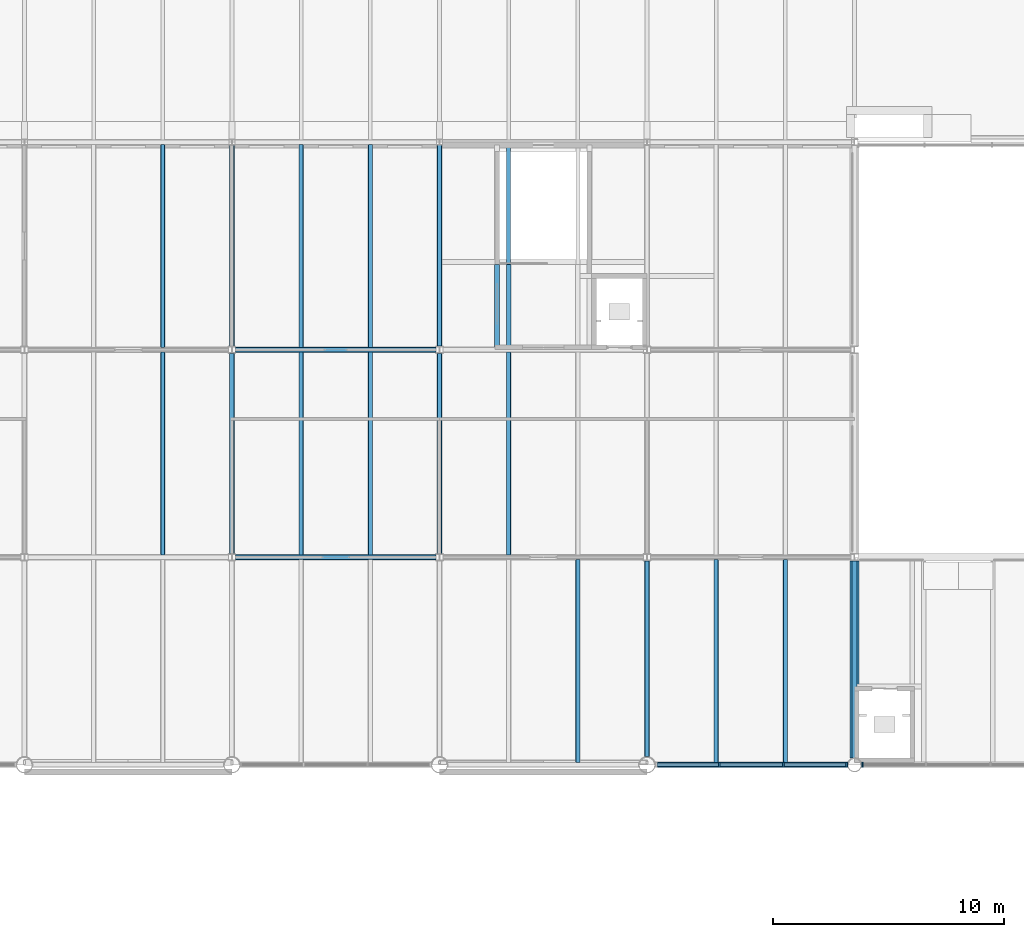
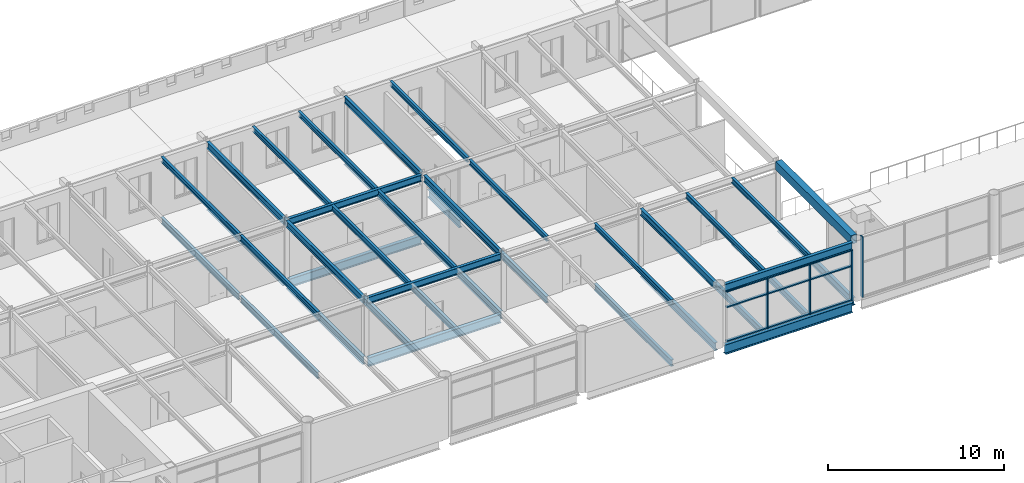
# One storey, part 37 of 123: 41 beams, 13 members, 2 elements without a shape of their own.
"""IFC4 building model written with IfcOpenShell, lengths in metres."""

import ifcopenshell
import ifcopenshell.guid

model = None  # the IFC model being written
_history = None  # IfcOwnerHistory: only IFC2X3 demands one
_inside = {}  # id of a spatial element -> (the spatial element, [elements in it])
_under = {}  # id of a project, library or spatial element -> (it, [spatial elements below it])
_declared = {}  # id of a project -> (the project, [libraries it declares])
_typed = {}  # id of a type object -> (the type object, [elements of that type])
_made_of = {}  # id of a material, layer set ... -> (it, [elements and type objects made of it])


def new_model(schema):
    """Start an empty IFC model of exactly this schema.

    Asked for "IFC4X3", IfcOpenShell would pick the latest addendum, in which some entities
    have other attributes; the version numbers below select the first issue.
    IFC2X3 requires an IfcOwnerHistory on every rooted entity: one is made here for all.
    """
    global model, _history
    if schema == "IFC4X3":
        model = ifcopenshell.file(schema_version=(4, 3, 0, 0))
    else:
        model = ifcopenshell.file(schema=schema)
    _inside.clear()
    _under.clear()
    _declared.clear()
    _typed.clear()
    _made_of.clear()
    _history = None
    if model.schema == "IFC2X3":
        org = make("IfcOrganization", Name="unknown")
        user = make(
            "IfcPersonAndOrganization",
            ThePerson=make("IfcPerson", FamilyName="unknown"),
            TheOrganization=org,
        )
        app = make(
            "IfcApplication",
            ApplicationDeveloper=org,
            Version="unknown",
            ApplicationFullName="unknown",
            ApplicationIdentifier="unknown",
        )
        _history = make(
            "IfcOwnerHistory",
            OwningUser=user,
            OwningApplication=app,
            ChangeAction="ADDED",
            CreationDate=0,
        )
    return model


def make(cls, **values):
    """One entity of the class cls with the attributes given. An attribute that is None is left unset."""
    return model.create_entity(
        cls, **{name: value for name, value in values.items() if value is not None}
    )


def rooted(cls, **values):
    """An entity with a GlobalId (a new one), such as an element, a storey or a relation."""
    return make(cls, GlobalId=ifcopenshell.guid.new(), OwnerHistory=_history, **values)


def si_unit(unit_type, name, prefix=None):
    """IfcSIUnit, for example si_unit("LENGTHUNIT", "METRE", prefix="MILLI")."""
    return make("IfcSIUnit", UnitType=unit_type, Prefix=prefix, Name=name)


def assignment(units):
    """IfcUnitAssignment: the units of a project."""
    return None if units is None else make("IfcUnitAssignment", Units=units)


def point(xyz):
    """IfcCartesianPoint."""
    return None if xyz is None else make("IfcCartesianPoint", Coordinates=xyz)


def direction(xyz):
    """IfcDirection."""
    return None if xyz is None else make("IfcDirection", DirectionRatios=xyz)


def frame(location, z_axis=None, x_axis=None):
    """IfcAxis2Placement3D, a coordinate frame: its origin and axes. An axis left out is left unset."""
    return make(
        "IfcAxis2Placement3D",
        Location=point(location),
        Axis=direction(z_axis),
        RefDirection=direction(x_axis),
    )


def frame_2d(location, x_axis=None):
    """IfcAxis2Placement2D, a coordinate frame in the plane: its origin and x axis."""
    return make(
        "IfcAxis2Placement2D", Location=point(location), RefDirection=direction(x_axis)
    )


def origin():
    """The frame at (0, 0, 0) with its axes left unset."""
    return frame((0.0, 0.0, 0.0))


def origin_2d():
    """The frame at (0, 0) in the plane with its x axis left unset."""
    return frame_2d((0.0, 0.0))


def place(relative_to, where):
    """IfcLocalPlacement: puts the frame where relative to a parent placement (None: the world)."""
    return make(
        "IfcLocalPlacement", PlacementRelTo=relative_to, RelativePlacement=where
    )


def context(
    kind, dimensions, precision=None, world=None, true_north=None, identifier=None
):
    """IfcGeometricRepresentationContext, for example the 3D "Model" context."""
    return make(
        "IfcGeometricRepresentationContext",
        ContextIdentifier=identifier,
        ContextType=kind,
        CoordinateSpaceDimension=dimensions,
        Precision=precision,
        WorldCoordinateSystem=world,
        TrueNorth=true_north,
    )


def subcontext(parent, identifier, kind, view, scale=None):
    """IfcGeometricRepresentationSubContext, for example "Body" below "Model"."""
    return make(
        "IfcGeometricRepresentationSubContext",
        ContextIdentifier=identifier,
        ContextType=kind,
        ParentContext=parent,
        TargetScale=scale,
        TargetView=view,
    )


def project(units=None, contexts=None):
    """IfcProject with its units and contexts."""
    return rooted(
        "IfcProject",
        Name="project",
        RepresentationContexts=contexts,
        UnitsInContext=assignment(units),
    )


def spatial(cls, under=None, at=None, **own):
    """A site, building, storey or space (cls), placed at a placement, below another one or the project."""
    s = rooted(cls, ObjectPlacement=at, **own)
    if under is not None:
        _under.setdefault(under.id(), (under, []))[1].append(s)
    return s


def profile(cls, at=None, kind="AREA", **sizes):
    """A parametric profile (cls). Its sizes go by their IFC names, for example OverallWidth=200.0."""
    return make(cls, ProfileType=kind, Position=at, **sizes)


def rectangle(**sizes):
    """IfcRectangleProfileDef."""
    return profile("IfcRectangleProfileDef", **sizes)


def hollow_rectangle(**sizes):
    """IfcRectangleHollowProfileDef."""
    return profile("IfcRectangleHollowProfileDef", **sizes)


def i_section(**sizes):
    """IfcIShapeProfileDef."""
    return profile("IfcIShapeProfileDef", **sizes)


def extrude(swept, where, along, depth):
    """IfcExtrudedAreaSolid: the profile swept, set in the frame where, extruded along a direction by depth."""
    return make(
        "IfcExtrudedAreaSolid",
        SweptArea=swept,
        Position=where,
        ExtrudedDirection=direction(along),
        Depth=depth,
    )


def shape(context_of_items, identifier, shape_type, items):
    """IfcShapeRepresentation: the items that make up one representation, for example the "Body"."""
    return make(
        "IfcShapeRepresentation",
        ContextOfItems=context_of_items,
        RepresentationIdentifier=identifier,
        RepresentationType=shape_type,
        Items=items,
    )


def material(Name=None, Category=None):
    """IfcMaterial."""
    return make("IfcMaterial", Name=Name, Category=Category)


def material_profile(
    of_material, cross_section, Name=None, Category=None, Priority=None
):
    """IfcMaterialProfile: a cross section and its material."""
    return make(
        "IfcMaterialProfile",
        Name=Name,
        Material=of_material,
        Profile=cross_section,
        Priority=Priority,
        Category=Category,
    )


def profile_set(profiles, Name=None, composite=None):
    """IfcMaterialProfileSet."""
    return make(
        "IfcMaterialProfileSet",
        Name=Name,
        MaterialProfiles=profiles,
        CompositeProfile=composite,
    )


def made_of(thing, what):
    """Note that an element or type object is made of a material, layer set ...; save() writes the relation."""
    if what is not None:
        _made_of.setdefault(what.id(), (what, []))[1].append(thing)
    return thing


def type_object(cls, material=None, **own):
    """A type object (cls), such as IfcWallType, which elements share."""
    return made_of(rooted(cls, **own), material)


def element(
    cls,
    number,
    at=None,
    inside=None,
    cuts=None,
    type_object=None,
    material=None,
    context=None,
    identifier="Body",
    shape_type=None,
    held_by="IfcProductDefinitionShape",
    body=None,
    shapes=None,
    **own,
):
    """One element of the class cls, such as IfcWall. Its Tag is "e" and its number.

    at: its placement. inside: the storey or other place that contains it. cuts: it is an
    opening in that element (IfcRelVoidsElement). A single representation is given by context,
    identifier, shape_type and body (its items); several are given by shapes. held_by: the class
    of the entity that holds the representations. save() writes the other relations.
    """
    e = rooted(cls, Tag="e%d" % number, ObjectPlacement=at, **own)
    if body is not None:
        shapes = [shape(context, identifier, shape_type, body)]
    if shapes is not None:
        e.Representation = make(held_by, Representations=shapes)
    if inside is not None:
        _inside.setdefault(inside.id(), (inside, []))[1].append(e)
    if cuts is not None:
        rooted(
            "IfcRelVoidsElement", RelatingBuildingElement=cuts, RelatedOpeningElement=e
        )
    if type_object is not None:
        _typed.setdefault(type_object.id(), (type_object, []))[1].append(e)
    return made_of(e, material)


def aggregate(whole, parts):
    """IfcRelAggregates: a whole, such as a stair, and the parts it consists of."""
    return rooted("IfcRelAggregates", RelatingObject=whole, RelatedObjects=parts)


def save(model, path):
    """Write the relations noted so far, then the file.

    IfcRelAggregates (storeys below a building ...), IfcRelContainedInSpatialStructure (elements
    in a storey), IfcRelDefinesByType, IfcRelAssociatesMaterial and IfcRelDeclares: one each for
    every whole, place, type object, material and project.
    """
    for whole, parts in _under.values():
        aggregate(whole, parts)
    for where, things in _inside.values():
        rooted(
            "IfcRelContainedInSpatialStructure",
            RelatedElements=things,
            RelatingStructure=where,
        )
    for kind, things in _typed.values():
        rooted("IfcRelDefinesByType", RelatedObjects=things, RelatingType=kind)
    for what, things in _made_of.values():
        rooted("IfcRelAssociatesMaterial", RelatedObjects=things, RelatingMaterial=what)
    for by, libraries in _declared.values():
        rooted("IfcRelDeclares", RelatingContext=by, RelatedDefinitions=libraries)
    model.write(path)


model = new_model("IFC4")

# Units and contexts
model_context = context("Model", 3, precision=1e-05, world=origin(), true_north=direction((0.0, 1.0)))
body_context = subcontext(model_context, "Body", "Model", "MODEL_VIEW")
ifc_project = project(units=[si_unit("LENGTHUNIT", "METRE"), si_unit("AREAUNIT", "SQUARE_METRE"), si_unit("VOLUMEUNIT", "CUBIC_METRE"), si_unit("PLANEANGLEUNIT", "RADIAN"), si_unit("MASSUNIT", "GRAM", prefix="KILO")], contexts=[model_context])

# Site, building, storey
site_placement = place(None, origin())
site = spatial("IfcSite", under=ifc_project, at=site_placement, CompositionType="ELEMENT")
building_placement = place(site_placement, origin())
building = spatial("IfcBuilding", under=site, at=building_placement, Name="Baradari Gate Terminus", CompositionType="ELEMENT")
storey_placement = place(building_placement, frame((0.0, 0.0, 7.5)))
storey = spatial("IfcBuildingStorey", under=building, at=storey_placement, Name="L01", CompositionType="ELEMENT", Elevation=7.5)

# Curtain wall, member
ifc_material_1 = material(Name="Aluminium 6063-T6", Category="aluminium")
curtain_wall_type_1 = type_object("IfcCurtainWallType", Name="Curtain wall CW-11 concourse gallery glazing, other height", PredefinedType="NOTDEFINED", material=ifc_material_1)
curtain_wall_1_placement = place(storey_placement, origin())
curtain_wall_1 = element("IfcCurtainWall", 1, at=curtain_wall_1_placement, inside=storey, type_object=curtain_wall_type_1, Name="Glazed curtain wall CW-11 HS bay 16 L01", PredefinedType="NOTDEFINED")
ifc_material_2 = material(Name="Aluminium 6063-T6", Category="aluminium")
ifc_material_profile_1 = material_profile(ifc_material_2, rectangle(XDim=0.22509765625, YDim=0.080078125, at=origin_2d()), Name="CM-11 80X225")
ifc_profile_set_1 = profile_set([ifc_material_profile_1], Name="Aluminium 6063-T6")
member_type_1 = type_object("IfcMemberType", Name="Curtain wall mullion CM-11 80x225", PredefinedType="MULLION", material=ifc_profile_set_1)
member_1_placement = place(storey_placement, frame((135.344970703125, 81.0, 0.0), z_axis=(0.0, 0.0, 1.0), x_axis=(0.0, 1.0, 0.0)))
member_1 = element("IfcMember", 2, at=member_1_placement, type_object=member_type_1, Name="CW-11 mullion 1", PredefinedType="MULLION", context=body_context, shape_type="SweptSolid", body=[
    extrude(rectangle(XDim=0.22509765625, YDim=0.080078125, at=origin_2d()), origin(), (0.0, 0.0, 1.0), 4.199951171875),
])
aggregate(curtain_wall_1, [member_1])

# Curtain wall, members
ifc_material_3 = material(Name="Aluminium 6063-T6", Category="aluminium")
curtain_wall_type_2 = type_object("IfcCurtainWallType", Name="Curtain wall CW-13 concourse gallery glazing", PredefinedType="NOTDEFINED", material=ifc_material_3)
curtain_wall_2_placement = place(storey_placement, origin())
curtain_wall_2 = element("IfcCurtainWall", 3, at=curtain_wall_2_placement, inside=storey, type_object=curtain_wall_type_2, Name="Glazed curtain wall CW-13 HS bay 15 L01", PredefinedType="NOTDEFINED")
ifc_material_4 = material(Name="Aluminium 6063-T6", Category="aluminium")
ifc_material_profile_2 = material_profile(ifc_material_4, rectangle(XDim=0.22509765625, YDim=0.080078125, at=origin_2d()), Name="CM-13 80X225")
ifc_profile_set_2 = profile_set([ifc_material_profile_2], Name="Aluminium 6063-T6")
member_type_2 = type_object("IfcMemberType", Name="Curtain wall mullion CM-13 80x225", PredefinedType="MULLION", material=ifc_profile_set_2)
member_2_placement = place(storey_placement, frame((129.13525390625, 81.0, 0.0), z_axis=(0.0, 0.0, 1.0), x_axis=(0.0, 1.0, 0.0)))
member_2 = element("IfcMember", 4, at=member_2_placement, type_object=member_type_2, Name="CW-13 mullion 2", PredefinedType="MULLION", context=body_context, shape_type="SweptSolid", body=[
    extrude(rectangle(XDim=0.22509765625, YDim=0.080078125, at=origin_2d()), origin(), (0.0, 0.0, 1.0), 3.516845703125),
])
member_3_placement = place(storey_placement, frame((131.915283203125, 81.0, 0.0), z_axis=(0.0, 0.0, 1.0), x_axis=(0.0, 1.0, 0.0)))
member_3 = element("IfcMember", 5, at=member_3_placement, type_object=member_type_2, Name="CW-13 mullion 3", PredefinedType="MULLION", context=body_context, shape_type="SweptSolid", body=[
    extrude(rectangle(XDim=0.22509765625, YDim=0.080078125, at=origin_2d()), origin(), (0.0, 0.0, 1.0), 3.516845703125),
])
member_4_placement = place(storey_placement, frame((134.655029296875, 81.0, 0.0), z_axis=(0.0, 0.0, 1.0), x_axis=(0.0, 1.0, 0.0)))
member_4 = element("IfcMember", 6, at=member_4_placement, type_object=member_type_2, Name="CW-13 mullion 4", PredefinedType="MULLION", context=body_context, shape_type="SweptSolid", body=[
    extrude(rectangle(XDim=0.22509765625, YDim=0.080078125, at=origin_2d()), origin(), (0.0, 0.0, 1.0), 3.516845703125),
])
ifc_material_5 = material(Name="Aluminium 6063-T6", Category="aluminium")
ifc_material_profile_3 = material_profile(ifc_material_5, rectangle(XDim=0.159912109375, YDim=0.080078125, at=origin_2d()), Name="CT-13 80X160")
ifc_profile_set_3 = profile_set([ifc_material_profile_3], Name="Aluminium 6063-T6")
member_type_3 = type_object("IfcMemberType", Name="Curtain wall transom CT-13 80x160", PredefinedType="USERDEFINED", material=ifc_profile_set_3)
member_5_placement = place(storey_placement, frame((126.435546875, 81.0, 0.0400390625), z_axis=(1.0, 0.0, 0.0), x_axis=(0.0, 1.0, 0.0)))
member_5 = element("IfcMember", 7, at=member_5_placement, type_object=member_type_3, Name="CW-13 transom 1.1", ObjectType="TRANSOM", PredefinedType="USERDEFINED", context=body_context, shape_type="SweptSolid", body=[
    extrude(rectangle(XDim=0.159912109375, YDim=0.080078125, at=origin_2d()), origin(), (0.0, 0.0, 1.0), 2.65966796875),
])
member_6_placement = place(storey_placement, frame((126.435546875, 81.0, 2.39990234375), z_axis=(1.0, 0.0, 0.0), x_axis=(0.0, 1.0, 0.0)))
member_6 = element("IfcMember", 8, at=member_6_placement, type_object=member_type_3, Name="CW-13 transom 1.2", ObjectType="TRANSOM", PredefinedType="USERDEFINED", context=body_context, shape_type="SweptSolid", body=[
    extrude(rectangle(XDim=0.159912109375, YDim=0.080078125, at=origin_2d()), origin(), (0.0, 0.0, 1.0), 2.65966796875),
])
member_7_placement = place(storey_placement, frame((126.435546875, 81.0, 3.476806640625), z_axis=(1.0, 0.0, 0.0), x_axis=(0.0, 1.0, 0.0)))
member_7 = element("IfcMember", 9, at=member_7_placement, type_object=member_type_3, Name="CW-13 transom 1.3", ObjectType="TRANSOM", PredefinedType="USERDEFINED", context=body_context, shape_type="SweptSolid", body=[
    extrude(rectangle(XDim=0.159912109375, YDim=0.080078125, at=origin_2d()), origin(), (0.0, 0.0, 1.0), 2.65966796875),
])
member_8_placement = place(storey_placement, frame((129.17529296875, 81.0, 0.0400390625), z_axis=(1.0, 0.0, 0.0), x_axis=(0.0, 1.0, 0.0)))
member_8 = element("IfcMember", 10, at=member_8_placement, type_object=member_type_3, Name="CW-13 transom 2.1", ObjectType="TRANSOM", PredefinedType="USERDEFINED", context=body_context, shape_type="SweptSolid", body=[
    extrude(rectangle(XDim=0.159912109375, YDim=0.080078125, at=origin_2d()), origin(), (0.0, 0.0, 1.0), 2.699951171875),
])
member_9_placement = place(storey_placement, frame((129.17529296875, 81.0, 2.39990234375), z_axis=(1.0, 0.0, 0.0), x_axis=(0.0, 1.0, 0.0)))
member_9 = element("IfcMember", 11, at=member_9_placement, type_object=member_type_3, Name="CW-13 transom 2.2", ObjectType="TRANSOM", PredefinedType="USERDEFINED", context=body_context, shape_type="SweptSolid", body=[
    extrude(rectangle(XDim=0.159912109375, YDim=0.080078125, at=origin_2d()), origin(), (0.0, 0.0, 1.0), 2.699951171875),
])
member_10_placement = place(storey_placement, frame((129.17529296875, 81.0, 3.476806640625), z_axis=(1.0, 0.0, 0.0), x_axis=(0.0, 1.0, 0.0)))
member_10 = element("IfcMember", 12, at=member_10_placement, type_object=member_type_3, Name="CW-13 transom 2.3", ObjectType="TRANSOM", PredefinedType="USERDEFINED", context=body_context, shape_type="SweptSolid", body=[
    extrude(rectangle(XDim=0.159912109375, YDim=0.080078125, at=origin_2d()), origin(), (0.0, 0.0, 1.0), 2.699951171875),
])
member_11_placement = place(storey_placement, frame((131.955078125, 81.0, 0.0400390625), z_axis=(1.0, 0.0, 0.0), x_axis=(0.0, 1.0, 0.0)))
member_11 = element("IfcMember", 13, at=member_11_placement, type_object=member_type_3, Name="CW-13 transom 3.1", ObjectType="TRANSOM", PredefinedType="USERDEFINED", context=body_context, shape_type="SweptSolid", body=[
    extrude(rectangle(XDim=0.159912109375, YDim=0.080078125, at=origin_2d()), origin(), (0.0, 0.0, 1.0), 2.659912109375),
])
member_12_placement = place(storey_placement, frame((131.955078125, 81.0, 2.39990234375), z_axis=(1.0, 0.0, 0.0), x_axis=(0.0, 1.0, 0.0)))
member_12 = element("IfcMember", 14, at=member_12_placement, type_object=member_type_3, Name="CW-13 transom 3.2", ObjectType="TRANSOM", PredefinedType="USERDEFINED", context=body_context, shape_type="SweptSolid", body=[
    extrude(rectangle(XDim=0.159912109375, YDim=0.080078125, at=origin_2d()), origin(), (0.0, 0.0, 1.0), 2.659912109375),
])
member_13_placement = place(storey_placement, frame((131.955078125, 81.0, 3.476806640625), z_axis=(1.0, 0.0, 0.0), x_axis=(0.0, 1.0, 0.0)))
member_13 = element("IfcMember", 15, at=member_13_placement, type_object=member_type_3, Name="CW-13 transom 3.3", ObjectType="TRANSOM", PredefinedType="USERDEFINED", context=body_context, shape_type="SweptSolid", body=[
    extrude(rectangle(XDim=0.159912109375, YDim=0.080078125, at=origin_2d()), origin(), (0.0, 0.0, 1.0), 2.659912109375),
])
aggregate(curtain_wall_2, [member_2, member_3, member_4, member_5, member_6, member_7, member_8, member_9, member_10, member_11, member_12, member_13])

# Beams
ifc_material_6 = material(Name="Steel S355", Category="steel")
ifc_material_profile_4 = material_profile(ifc_material_6, i_section(OverallWidth=0.210693359375, OverallDepth=0.53955078125, WebThickness=0.01171875, FlangeThickness=0.018798828125, FilletRadius=0.0126953125, at=origin_2d()), Name="UB 533x210x109")
ifc_profile_set_4 = profile_set([ifc_material_profile_4], Name="Steel S355")
beam_type_1 = type_object("IfcBeamType", Name="Head-house cross girder B12 UB 533x210x109", PredefinedType="BEAM", material=ifc_profile_set_4)
beam_1_placement = place(storey_placement, frame((108.0, 90.1572265625, -0.399658203125), z_axis=(0.0, 1.0, 0.0), x_axis=(-1.0, 0.0, 0.0)))
element("IfcBeam", 16, at=beam_1_placement, inside=storey, type_object=beam_type_1, Name="Head-house cross girder B12 13:90.157-98.843 L01", PredefinedType="BEAM", context=body_context, shape_type="SweptSolid", body=[
    extrude(i_section(OverallWidth=0.210693359375, OverallDepth=0.53955078125, WebThickness=0.01171875, FlangeThickness=0.018798828125, FilletRadius=0.0126953125, at=origin_2d()), origin(), (0.0, 0.0, 1.0), 8.685546875),
])
beam_2_placement = place(storey_placement, frame((108.0, 99.1572265625, -0.399658203125), z_axis=(0.0, 1.0, 0.0), x_axis=(-1.0, 0.0, 0.0)))
element("IfcBeam", 17, at=beam_2_placement, inside=storey, type_object=beam_type_1, Name="Head-house cross girder B12 13:99.157-107.87 L01", PredefinedType="BEAM", context=body_context, shape_type="SweptSolid", body=[
    extrude(i_section(OverallWidth=0.210693359375, OverallDepth=0.53955078125, WebThickness=0.01171875, FlangeThickness=0.018798828125, FilletRadius=0.0126953125, at=origin_2d()), origin(), (0.0, 0.0, 1.0), 8.712646484375),
])
beam_3_placement = place(storey_placement, frame((117.0, 90.1572265625, -0.399658203125), z_axis=(0.0, 1.0, 0.0), x_axis=(-1.0, 0.0, 0.0)))
element("IfcBeam", 18, at=beam_3_placement, inside=storey, type_object=beam_type_1, Name="Head-house cross girder B12 14:90.157-98.843 L01", PredefinedType="BEAM", context=body_context, shape_type="SweptSolid", body=[
    extrude(i_section(OverallWidth=0.210693359375, OverallDepth=0.53955078125, WebThickness=0.01171875, FlangeThickness=0.018798828125, FilletRadius=0.0126953125, at=origin_2d()), origin(), (0.0, 0.0, 1.0), 8.685546875),
])
beam_4_placement = place(storey_placement, frame((117.0, 99.1572265625, -0.399658203125), z_axis=(0.0, 1.0, 0.0), x_axis=(-1.0, 0.0, 0.0)))
element("IfcBeam", 19, at=beam_4_placement, inside=storey, type_object=beam_type_1, Name="Head-house cross girder B12 14:99.157-107.87 L01", PredefinedType="BEAM", context=body_context, shape_type="SweptSolid", body=[
    extrude(i_section(OverallWidth=0.210693359375, OverallDepth=0.53955078125, WebThickness=0.01171875, FlangeThickness=0.018798828125, FilletRadius=0.0126953125, at=origin_2d()), origin(), (0.0, 0.0, 1.0), 8.712646484375),
])
beam_5_placement = place(storey_placement, frame((126.0, 81.35546875, -0.399658203125), z_axis=(0.0, 1.0, 0.0), x_axis=(-1.0, 0.0, 0.0)))
element("IfcBeam", 20, at=beam_5_placement, inside=storey, type_object=beam_type_1, Name="Head-house cross girder B12 15:81.356-89.843 L01", PredefinedType="BEAM", context=body_context, shape_type="SweptSolid", body=[
    extrude(i_section(OverallWidth=0.210693359375, OverallDepth=0.53955078125, WebThickness=0.01171875, FlangeThickness=0.018798828125, FilletRadius=0.0126953125, at=origin_2d()), origin(), (0.0, 0.0, 1.0), 8.4873046875),
])
beam_6_placement = place(storey_placement, frame((135.0, 81.304931640625, -0.399658203125), z_axis=(0.0, 1.0, 0.0), x_axis=(-1.0, 0.0, 0.0)))
element("IfcBeam", 21, at=beam_6_placement, inside=storey, type_object=beam_type_1, Name="Head-house cross girder B12 16:81.305-89.843 L01", PredefinedType="BEAM", context=body_context, shape_type="SweptSolid", body=[
    extrude(i_section(OverallWidth=0.210693359375, OverallDepth=0.53955078125, WebThickness=0.01171875, FlangeThickness=0.018798828125, FilletRadius=0.0126953125, at=origin_2d()), origin(), (0.0, 0.0, 1.0), 8.537841796875),
])
ifc_material_7 = material(Name="Steel S355", Category="steel")
ifc_material_profile_5 = material_profile(ifc_material_7, i_section(OverallWidth=0.2529296875, OverallDepth=0.677978515625, WebThickness=0.01171875, FlangeThickness=0.01611328125, FilletRadius=0.01513671875, at=origin_2d()), Name="UB 686x254x125")
ifc_profile_set_5 = profile_set([ifc_material_profile_5], Name="Steel S355")
beam_type_2 = type_object("IfcBeamType", Name="Head-house edge girder B07 UB 686x254x125", PredefinedType="BEAM", material=ifc_profile_set_5)
beam_7_placement = place(storey_placement, frame((126.35546875, 81.0, -0.468994140625), z_axis=(1.0, 0.0, 0.0), x_axis=(0.0, 1.0, 0.0)))
element("IfcBeam", 22, at=beam_7_placement, inside=storey, type_object=beam_type_2, Name="Head-house edge girder B07 K:126.356-134.695 L01", PredefinedType="BEAM", context=body_context, shape_type="SweptSolid", body=[
    extrude(i_section(OverallWidth=0.2529296875, OverallDepth=0.677978515625, WebThickness=0.01171875, FlangeThickness=0.01611328125, FilletRadius=0.01513671875, at=origin_2d()), origin(), (0.0, 0.0, 1.0), 8.339599609375),
])
ifc_material_8 = material(Name="Steel S355", Category="steel")
ifc_material_profile_6 = material_profile(ifc_material_8, i_section(OverallWidth=0.22900390625, OverallDepth=0.6123046875, WebThickness=0.011962890625, FlangeThickness=0.01953125, FilletRadius=0.0126953125, at=origin_2d()), Name="UB 610x229x125")
ifc_profile_set_6 = profile_set([ifc_material_profile_6], Name="Steel S355")
beam_type_3 = type_object("IfcBeamType", Name="Head-house girder B09 UB 610x229x125", PredefinedType="BEAM", material=ifc_profile_set_6)
for number, where, z_axis, x_axis, name in (
    (23, (108.15380859375, 90.0, -0.43603515625), (1.0, 0.0, 0.0), (0.0, 1.0, 0.0), "Head-house girder B09 L:108.154-116.846 L01"),
    (24, (108.15380859375, 99.0, -0.43603515625), (1.0, 0.0, 0.0), (0.0, 1.0, 0.0), "Head-house girder B09 M:108.154-116.846 L01"),
):
    element("IfcBeam", number, at=place(storey_placement, frame(where, z_axis=z_axis, x_axis=x_axis)), inside=storey, type_object=beam_type_3, Name=name, PredefinedType="BEAM", context=body_context, shape_type="SweptSolid", body=[
        extrude(i_section(OverallWidth=0.22900390625, OverallDepth=0.6123046875, WebThickness=0.011962890625, FlangeThickness=0.01953125, FilletRadius=0.0126953125, at=origin_2d()), origin(), (0.0, 0.0, 1.0), 8.6923828125),
    ])
ifc_material_9 = material(Name="Steel S355", Category="steel")
ifc_material_profile_7 = material_profile(ifc_material_9, i_section(OverallWidth=0.1904296875, OverallDepth=0.45703125, WebThickness=0.009033203125, FlangeThickness=0.014404296875, FilletRadius=0.01025390625, at=origin_2d()), Name="UB 457x191x74")
ifc_profile_set_7 = profile_set([ifc_material_profile_7], Name="Steel S355")
beam_type_4 = type_object("IfcBeamType", Name="Head-house roof cross girder B51 UB 457x191x74", PredefinedType="BEAM", material=ifc_profile_set_7)
beam_8_placement = place(storey_placement, frame((108.0, 90.1572265625, 3.821533203125), z_axis=(0.0, 1.0, 0.0), x_axis=(-1.0, 0.0, 0.0)))
element("IfcBeam", 25, at=beam_8_placement, inside=storey, type_object=beam_type_4, Name="Head-house roof cross girder B51 13:90.157-98.843 L01", PredefinedType="BEAM", context=body_context, shape_type="SweptSolid", body=[
    extrude(i_section(OverallWidth=0.1904296875, OverallDepth=0.45703125, WebThickness=0.009033203125, FlangeThickness=0.014404296875, FilletRadius=0.01025390625, at=origin_2d()), origin(), (0.0, 0.0, 1.0), 8.685546875),
])
beam_9_placement = place(storey_placement, frame((108.0, 99.1572265625, 3.821533203125), z_axis=(0.0, 1.0, 0.0), x_axis=(-1.0, 0.0, 0.0)))
element("IfcBeam", 26, at=beam_9_placement, inside=storey, type_object=beam_type_4, Name="Head-house roof cross girder B51 13:99.157-107.87 L01", PredefinedType="BEAM", context=body_context, shape_type="SweptSolid", body=[
    extrude(i_section(OverallWidth=0.1904296875, OverallDepth=0.45703125, WebThickness=0.009033203125, FlangeThickness=0.014404296875, FilletRadius=0.01025390625, at=origin_2d()), origin(), (0.0, 0.0, 1.0), 8.712646484375),
])
beam_10_placement = place(storey_placement, frame((117.0, 90.1572265625, 3.821533203125), z_axis=(0.0, 1.0, 0.0), x_axis=(-1.0, 0.0, 0.0)))
element("IfcBeam", 27, at=beam_10_placement, inside=storey, type_object=beam_type_4, Name="Head-house roof cross girder B51 14:90.157-98.843 L01", PredefinedType="BEAM", context=body_context, shape_type="SweptSolid", body=[
    extrude(i_section(OverallWidth=0.1904296875, OverallDepth=0.45703125, WebThickness=0.009033203125, FlangeThickness=0.014404296875, FilletRadius=0.01025390625, at=origin_2d()), origin(), (0.0, 0.0, 1.0), 8.685546875),
])
beam_11_placement = place(storey_placement, frame((117.0, 99.1572265625, 3.821533203125), z_axis=(0.0, 1.0, 0.0), x_axis=(-1.0, 0.0, 0.0)))
element("IfcBeam", 28, at=beam_11_placement, inside=storey, type_object=beam_type_4, Name="Head-house roof cross girder B51 14:99.157-107.87 L01", PredefinedType="BEAM", context=body_context, shape_type="SweptSolid", body=[
    extrude(i_section(OverallWidth=0.1904296875, OverallDepth=0.45703125, WebThickness=0.009033203125, FlangeThickness=0.014404296875, FilletRadius=0.01025390625, at=origin_2d()), origin(), (0.0, 0.0, 1.0), 8.712646484375),
])
beam_12_placement = place(storey_placement, frame((126.0, 81.35546875, 3.821533203125), z_axis=(0.0, 1.0, 0.0), x_axis=(-1.0, 0.0, 0.0)))
element("IfcBeam", 29, at=beam_12_placement, inside=storey, type_object=beam_type_4, Name="Head-house roof cross girder B51 15:81.356-89.843 L01", PredefinedType="BEAM", context=body_context, shape_type="SweptSolid", body=[
    extrude(i_section(OverallWidth=0.1904296875, OverallDepth=0.45703125, WebThickness=0.009033203125, FlangeThickness=0.014404296875, FilletRadius=0.01025390625, at=origin_2d()), origin(), (0.0, 0.0, 1.0), 8.4873046875),
])
ifc_material_10 = material(Name="Steel S355", Category="steel")
ifc_material_profile_8 = material_profile(ifc_material_10, i_section(OverallWidth=0.209228515625, OverallDepth=0.533203125, WebThickness=0.010009765625, FlangeThickness=0.015625, FilletRadius=0.0126953125, at=origin_2d()), Name="UB 533x210x92")
ifc_profile_set_8 = profile_set([ifc_material_profile_8], Name="Steel S355")
beam_type_5 = type_object("IfcBeamType", Name="Head-house roof edge girder B48 UB 533x210x92", PredefinedType="BEAM", material=ifc_profile_set_8)
beam_13_placement = place(storey_placement, frame((126.35546875, 81.0, 3.783447265625), z_axis=(1.0, 0.0, 0.0), x_axis=(0.0, 1.0, 0.0)))
element("IfcBeam", 30, at=beam_13_placement, inside=storey, type_object=beam_type_5, Name="Head-house roof edge girder B48 K:126.356-134.695 L01", PredefinedType="BEAM", context=body_context, shape_type="SweptSolid", body=[
    extrude(i_section(OverallWidth=0.209228515625, OverallDepth=0.533203125, WebThickness=0.010009765625, FlangeThickness=0.015625, FilletRadius=0.0126953125, at=origin_2d()), origin(), (0.0, 0.0, 1.0), 8.339599609375),
])
ifc_material_11 = material(Name="Steel S355", Category="steel")
ifc_material_profile_9 = material_profile(ifc_material_11, i_section(OverallWidth=0.19140625, OverallDepth=0.4599609375, WebThickness=0.010009765625, FlangeThickness=0.01611328125, FilletRadius=0.01025390625, at=origin_2d()), Name="UB 457x191x82")
ifc_profile_set_9 = profile_set([ifc_material_profile_9], Name="Steel S355")
beam_type_6 = type_object("IfcBeamType", Name="Head-house roof girder B49 UB 457x191x82", PredefinedType="BEAM", material=ifc_profile_set_9)
for number, where, z_axis, x_axis, name in (
    (31, (108.15380859375, 90.0, 3.820068359375), (1.0, 0.0, 0.0), (0.0, 1.0, 0.0), "Head-house roof girder B49 L:108.154-116.846 L01"),
    (32, (108.15380859375, 99.0, 3.820068359375), (1.0, 0.0, 0.0), (0.0, 1.0, 0.0), "Head-house roof girder B49 M:108.154-116.846 L01"),
):
    element("IfcBeam", number, at=place(storey_placement, frame(where, z_axis=z_axis, x_axis=x_axis)), inside=storey, type_object=beam_type_6, Name=name, PredefinedType="BEAM", context=body_context, shape_type="SweptSolid", body=[
        extrude(i_section(OverallWidth=0.19140625, OverallDepth=0.4599609375, WebThickness=0.010009765625, FlangeThickness=0.01611328125, FilletRadius=0.01025390625, at=origin_2d()), origin(), (0.0, 0.0, 1.0), 8.6923828125),
    ])
ifc_material_12 = material(Name="Steel S355", Category="steel")
ifc_material_profile_10 = material_profile(ifc_material_12, i_section(OverallWidth=0.17138671875, OverallDepth=0.35498046875, WebThickness=0.00732421875, FlangeThickness=0.011474609375, FilletRadius=0.01025390625, at=origin_2d()), Name="UB 356x171x51")
ifc_profile_set_10 = profile_set([ifc_material_profile_10], Name="Steel S355")
beam_type_7 = type_object("IfcBeamType", Name="Head-house roof secondary beam B50 UB 356x171x51", PredefinedType="BEAM", material=ifc_profile_set_10)
beam_14_placement = place(storey_placement, frame((105.0, 90.095703125, 3.87255859375), z_axis=(0.0, 1.0, 0.0), x_axis=(-1.0, 0.0, 0.0)))
element("IfcBeam", 33, at=beam_14_placement, inside=storey, type_object=beam_type_7, Name="Head-house roof secondary beam B50 105:90.096-98.904 L01", PredefinedType="BEAM", context=body_context, shape_type="SweptSolid", body=[
    extrude(i_section(OverallWidth=0.17138671875, OverallDepth=0.35498046875, WebThickness=0.00732421875, FlangeThickness=0.011474609375, FilletRadius=0.01025390625, at=origin_2d()), origin(), (0.0, 0.0, 1.0), 8.80859375),
])
beam_15_placement = place(storey_placement, frame((105.0, 99.095703125, 3.87255859375), z_axis=(0.0, 1.0, 0.0), x_axis=(-1.0, 0.0, 0.0)))
element("IfcBeam", 34, at=beam_15_placement, inside=storey, type_object=beam_type_7, Name="Head-house roof secondary beam B50 105:99.096-107.895 L01", PredefinedType="BEAM", context=body_context, shape_type="SweptSolid", body=[
    extrude(i_section(OverallWidth=0.17138671875, OverallDepth=0.35498046875, WebThickness=0.00732421875, FlangeThickness=0.011474609375, FilletRadius=0.01025390625, at=origin_2d()), origin(), (0.0, 0.0, 1.0), 8.799560546875),
])
beam_16_placement = place(storey_placement, frame((111.0, 90.095703125, 3.87255859375), z_axis=(0.0, 1.0, 0.0), x_axis=(-1.0, 0.0, 0.0)))
element("IfcBeam", 35, at=beam_16_placement, inside=storey, type_object=beam_type_7, Name="Head-house roof secondary beam B50 111:90.096-98.904 L01", PredefinedType="BEAM", context=body_context, shape_type="SweptSolid", body=[
    extrude(i_section(OverallWidth=0.17138671875, OverallDepth=0.35498046875, WebThickness=0.00732421875, FlangeThickness=0.011474609375, FilletRadius=0.01025390625, at=origin_2d()), origin(), (0.0, 0.0, 1.0), 8.80859375),
])
beam_17_placement = place(storey_placement, frame((111.0, 99.095703125, 3.87255859375), z_axis=(0.0, 1.0, 0.0), x_axis=(-1.0, 0.0, 0.0)))
element("IfcBeam", 36, at=beam_17_placement, inside=storey, type_object=beam_type_7, Name="Head-house roof secondary beam B50 111:99.096-107.895 L01", PredefinedType="BEAM", context=body_context, shape_type="SweptSolid", body=[
    extrude(i_section(OverallWidth=0.17138671875, OverallDepth=0.35498046875, WebThickness=0.00732421875, FlangeThickness=0.011474609375, FilletRadius=0.01025390625, at=origin_2d()), origin(), (0.0, 0.0, 1.0), 8.799560546875),
])
beam_18_placement = place(storey_placement, frame((114.0, 90.095703125, 3.87255859375), z_axis=(0.0, 1.0, 0.0), x_axis=(-1.0, 0.0, 0.0)))
element("IfcBeam", 37, at=beam_18_placement, inside=storey, type_object=beam_type_7, Name="Head-house roof secondary beam B50 114:90.096-98.904 L01", PredefinedType="BEAM", context=body_context, shape_type="SweptSolid", body=[
    extrude(i_section(OverallWidth=0.17138671875, OverallDepth=0.35498046875, WebThickness=0.00732421875, FlangeThickness=0.011474609375, FilletRadius=0.01025390625, at=origin_2d()), origin(), (0.0, 0.0, 1.0), 8.80859375),
])
beam_19_placement = place(storey_placement, frame((114.0, 99.095703125, 3.87255859375), z_axis=(0.0, 1.0, 0.0), x_axis=(-1.0, 0.0, 0.0)))
element("IfcBeam", 38, at=beam_19_placement, inside=storey, type_object=beam_type_7, Name="Head-house roof secondary beam B50 114:99.096-107.895 L01", PredefinedType="BEAM", context=body_context, shape_type="SweptSolid", body=[
    extrude(i_section(OverallWidth=0.17138671875, OverallDepth=0.35498046875, WebThickness=0.00732421875, FlangeThickness=0.011474609375, FilletRadius=0.01025390625, at=origin_2d()), origin(), (0.0, 0.0, 1.0), 8.799560546875),
])
beam_20_placement = place(storey_placement, frame((120.0, 90.095703125, 3.87255859375), z_axis=(0.0, 1.0, 0.0), x_axis=(-1.0, 0.0, 0.0)))
element("IfcBeam", 39, at=beam_20_placement, inside=storey, type_object=beam_type_7, Name="Head-house roof secondary beam B50 120:90.096-98.904 L01", PredefinedType="BEAM", context=body_context, shape_type="SweptSolid", body=[
    extrude(i_section(OverallWidth=0.17138671875, OverallDepth=0.35498046875, WebThickness=0.00732421875, FlangeThickness=0.011474609375, FilletRadius=0.01025390625, at=origin_2d()), origin(), (0.0, 0.0, 1.0), 8.80859375),
])
for number, where, z_axis, x_axis, name in (
    (40, (120.0, 99.095703125, 3.87255859375), (0.0, 1.0, 0.0), (-1.0, 0.0, 0.0), "Head-house roof secondary beam B50 120:99.096-107.895 L01"),
    (41, (123.0, 81.104736328125, 3.87255859375), (0.0, 1.0, 0.0), (-1.0, 0.0, 0.0), "Head-house roof secondary beam B50 123:81.105-89.904 L01"),
    (42, (129.0, 81.104736328125, 3.87255859375), (0.0, 1.0, 0.0), (-1.0, 0.0, 0.0), "Head-house roof secondary beam B50 129:81.105-89.904 L01"),
    (43, (132.0, 81.104736328125, 3.87255859375), (0.0, 1.0, 0.0), (-1.0, 0.0, 0.0), "Head-house roof secondary beam B50 132:81.105-89.904 L01"),
):
    element("IfcBeam", number, at=place(storey_placement, frame(where, z_axis=z_axis, x_axis=x_axis)), inside=storey, type_object=beam_type_7, Name=name, PredefinedType="BEAM", context=body_context, shape_type="SweptSolid", body=[
        extrude(i_section(OverallWidth=0.17138671875, OverallDepth=0.35498046875, WebThickness=0.00732421875, FlangeThickness=0.011474609375, FilletRadius=0.01025390625, at=origin_2d()), origin(), (0.0, 0.0, 1.0), 8.799560546875),
    ])
ifc_material_13 = material(Name="Steel S355", Category="steel")
ifc_material_profile_11 = material_profile(ifc_material_13, i_section(OverallWidth=0.18994140625, OverallDepth=0.453369140625, WebThickness=0.008544921875, FlangeThickness=0.0126953125, FilletRadius=0.01025390625, at=origin_2d()), Name="UB 457x191x67")
ifc_profile_set_11 = profile_set([ifc_material_profile_11], Name="Steel S355")
beam_type_8 = type_object("IfcBeamType", Name="Head-house secondary beam B11 UB 457x191x67", PredefinedType="BEAM", material=ifc_profile_set_11)
beam_21_placement = place(storey_placement, frame((105.0, 90.114501953125, -0.356689453125), z_axis=(0.0, 1.0, 0.0), x_axis=(-1.0, 0.0, 0.0)))
element("IfcBeam", 44, at=beam_21_placement, inside=storey, type_object=beam_type_8, Name="Head-house secondary beam B11 105:90.115-98.885 L01", PredefinedType="BEAM", context=body_context, shape_type="SweptSolid", body=[
    extrude(i_section(OverallWidth=0.18994140625, OverallDepth=0.453369140625, WebThickness=0.008544921875, FlangeThickness=0.0126953125, FilletRadius=0.01025390625, at=origin_2d()), origin(), (0.0, 0.0, 1.0), 8.77099609375),
])
beam_22_placement = place(storey_placement, frame((105.0, 99.114501953125, -0.356689453125), z_axis=(0.0, 1.0, 0.0), x_axis=(-1.0, 0.0, 0.0)))
element("IfcBeam", 45, at=beam_22_placement, inside=storey, type_object=beam_type_8, Name="Head-house secondary beam B11 105:99.115-107.874 L01", PredefinedType="BEAM", context=body_context, shape_type="SweptSolid", body=[
    extrude(i_section(OverallWidth=0.18994140625, OverallDepth=0.453369140625, WebThickness=0.008544921875, FlangeThickness=0.0126953125, FilletRadius=0.01025390625, at=origin_2d()), origin(), (0.0, 0.0, 1.0), 8.759033203125),
])
beam_23_placement = place(storey_placement, frame((111.0, 90.114501953125, -0.356689453125), z_axis=(0.0, 1.0, 0.0), x_axis=(-1.0, 0.0, 0.0)))
element("IfcBeam", 46, at=beam_23_placement, inside=storey, type_object=beam_type_8, Name="Head-house secondary beam B11 111:90.115-98.885 L01", PredefinedType="BEAM", context=body_context, shape_type="SweptSolid", body=[
    extrude(i_section(OverallWidth=0.18994140625, OverallDepth=0.453369140625, WebThickness=0.008544921875, FlangeThickness=0.0126953125, FilletRadius=0.01025390625, at=origin_2d()), origin(), (0.0, 0.0, 1.0), 8.77099609375),
])
beam_24_placement = place(storey_placement, frame((111.0, 99.114501953125, -0.356689453125), z_axis=(0.0, 1.0, 0.0), x_axis=(-1.0, 0.0, 0.0)))
element("IfcBeam", 47, at=beam_24_placement, inside=storey, type_object=beam_type_8, Name="Head-house secondary beam B11 111:99.115-107.874 L01", PredefinedType="BEAM", context=body_context, shape_type="SweptSolid", body=[
    extrude(i_section(OverallWidth=0.18994140625, OverallDepth=0.453369140625, WebThickness=0.008544921875, FlangeThickness=0.0126953125, FilletRadius=0.01025390625, at=origin_2d()), origin(), (0.0, 0.0, 1.0), 8.759033203125),
])
beam_25_placement = place(storey_placement, frame((114.0, 90.114501953125, -0.356689453125), z_axis=(0.0, 1.0, 0.0), x_axis=(-1.0, 0.0, 0.0)))
element("IfcBeam", 48, at=beam_25_placement, inside=storey, type_object=beam_type_8, Name="Head-house secondary beam B11 114:90.115-98.885 L01", PredefinedType="BEAM", context=body_context, shape_type="SweptSolid", body=[
    extrude(i_section(OverallWidth=0.18994140625, OverallDepth=0.453369140625, WebThickness=0.008544921875, FlangeThickness=0.0126953125, FilletRadius=0.01025390625, at=origin_2d()), origin(), (0.0, 0.0, 1.0), 8.77099609375),
])
beam_26_placement = place(storey_placement, frame((114.0, 99.114501953125, -0.356689453125), z_axis=(0.0, 1.0, 0.0), x_axis=(-1.0, 0.0, 0.0)))
element("IfcBeam", 49, at=beam_26_placement, inside=storey, type_object=beam_type_8, Name="Head-house secondary beam B11 114:99.115-107.874 L01", PredefinedType="BEAM", context=body_context, shape_type="SweptSolid", body=[
    extrude(i_section(OverallWidth=0.18994140625, OverallDepth=0.453369140625, WebThickness=0.008544921875, FlangeThickness=0.0126953125, FilletRadius=0.01025390625, at=origin_2d()), origin(), (0.0, 0.0, 1.0), 8.759033203125),
])
beam_27_placement = place(storey_placement, frame((120.0, 90.114501953125, -0.356689453125), z_axis=(0.0, 1.0, 0.0), x_axis=(-1.0, 0.0, 0.0)))
element("IfcBeam", 50, at=beam_27_placement, inside=storey, type_object=beam_type_8, Name="Head-house secondary beam B11 120:90.115-98.885 L01", PredefinedType="BEAM", context=body_context, shape_type="SweptSolid", body=[
    extrude(i_section(OverallWidth=0.18994140625, OverallDepth=0.453369140625, WebThickness=0.008544921875, FlangeThickness=0.0126953125, FilletRadius=0.01025390625, at=origin_2d()), origin(), (0.0, 0.0, 1.0), 8.77099609375),
])
beam_28_placement = place(storey_placement, frame((120.0, 99.114501953125, -0.356689453125), z_axis=(0.0, 1.0, 0.0), x_axis=(-1.0, 0.0, 0.0)))
element("IfcBeam", 51, at=beam_28_placement, inside=storey, type_object=beam_type_8, Name="Head-house secondary beam B11 120:99.115-102.695 L01", PredefinedType="BEAM", context=body_context, shape_type="SweptSolid", body=[
    extrude(i_section(OverallWidth=0.18994140625, OverallDepth=0.453369140625, WebThickness=0.008544921875, FlangeThickness=0.0126953125, FilletRadius=0.01025390625, at=origin_2d()), origin(), (0.0, 0.0, 1.0), 3.580810546875),
])
for number, where, z_axis, x_axis, name in (
    (52, (123.0, 81.12646484375, -0.356689453125), (0.0, 1.0, 0.0), (-1.0, 0.0, 0.0), "Head-house secondary beam B11 123:81.126-89.885 L01"),
    (53, (129.0, 81.12646484375, -0.356689453125), (0.0, 1.0, 0.0), (-1.0, 0.0, 0.0), "Head-house secondary beam B11 129:81.126-89.885 L01"),
    (54, (132.0, 81.12646484375, -0.356689453125), (0.0, 1.0, 0.0), (-1.0, 0.0, 0.0), "Head-house secondary beam B11 132:81.126-89.885 L01"),
):
    element("IfcBeam", number, at=place(storey_placement, frame(where, z_axis=z_axis, x_axis=x_axis)), inside=storey, type_object=beam_type_8, Name=name, PredefinedType="BEAM", context=body_context, shape_type="SweptSolid", body=[
        extrude(i_section(OverallWidth=0.18994140625, OverallDepth=0.453369140625, WebThickness=0.008544921875, FlangeThickness=0.0126953125, FilletRadius=0.01025390625, at=origin_2d()), origin(), (0.0, 0.0, 1.0), 8.759033203125),
    ])
ifc_material_14 = material(Name="Steel S355", Category="steel")
ifc_material_profile_12 = material_profile(ifc_material_14, i_section(OverallWidth=0.209228515625, OverallDepth=0.533203125, WebThickness=0.010009765625, FlangeThickness=0.015625, FilletRadius=0.0126953125, at=origin_2d()), Name="UB 533x210x92")
ifc_profile_set_12 = profile_set([ifc_material_profile_12], Name="Steel S355")
beam_type_9 = type_object("IfcBeamType", Name="Head-house trimmer beam B08 UB 533x210x92", PredefinedType="BEAM", material=ifc_profile_set_12)
beam_29_placement = place(storey_placement, frame((119.4951171875, 99.114501953125, -0.396484375), z_axis=(0.0, 1.0, 0.0), x_axis=(-1.0, 0.0, 0.0)))
element("IfcBeam", 55, at=beam_29_placement, inside=storey, type_object=beam_type_9, Name="Head-house trimmer beam B08 119.495:99.115-102.695 L01", PredefinedType="BEAM", context=body_context, shape_type="SweptSolid", body=[
    extrude(i_section(OverallWidth=0.209228515625, OverallDepth=0.533203125, WebThickness=0.010009765625, FlangeThickness=0.015625, FilletRadius=0.0126953125, at=origin_2d()), origin(), (0.0, 0.0, 1.0), 3.580810546875),
])
ifc_material_15 = material(Name="Steel S355", Category="steel")
ifc_material_profile_13 = material_profile(ifc_material_15, hollow_rectangle(XDim=0.39990234375, YDim=0.60009765625, WallThickness=0.02001953125, at=origin_2d()), Name="FB 400x600x20")
ifc_profile_set_13 = profile_set([ifc_material_profile_13], Name="Steel S355")
beam_type_10 = type_object("IfcBeamType", Name="Vault spring beam B67 FB 400x600x20", PredefinedType="BEAM", material=ifc_profile_set_13)
beam_30_placement = place(storey_placement, frame((135.0, 81.304931640625, 3.89990234375), z_axis=(0.0, 1.0, 0.0), x_axis=(-1.0, 0.0, 0.0)))
element("IfcBeam", 56, at=beam_30_placement, inside=storey, type_object=beam_type_10, Name="Vault spring beam B67 16:81.305-89.843 L01", PredefinedType="BEAM", context=body_context, shape_type="SweptSolid", body=[
    extrude(hollow_rectangle(XDim=0.39990234375, YDim=0.60009765625, WallThickness=0.02001953125, at=origin_2d()), origin(), (0.0, 0.0, 1.0), 8.537841796875),
])

save(model, "model.ifc")
